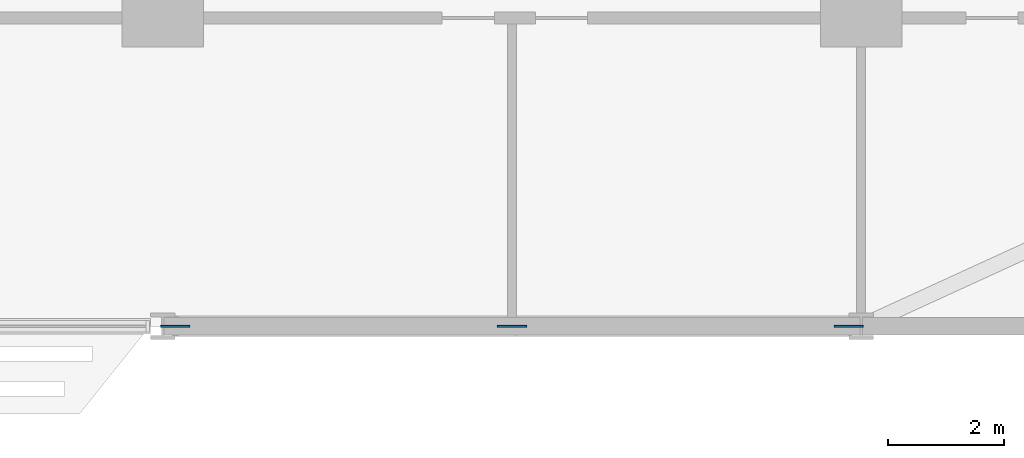
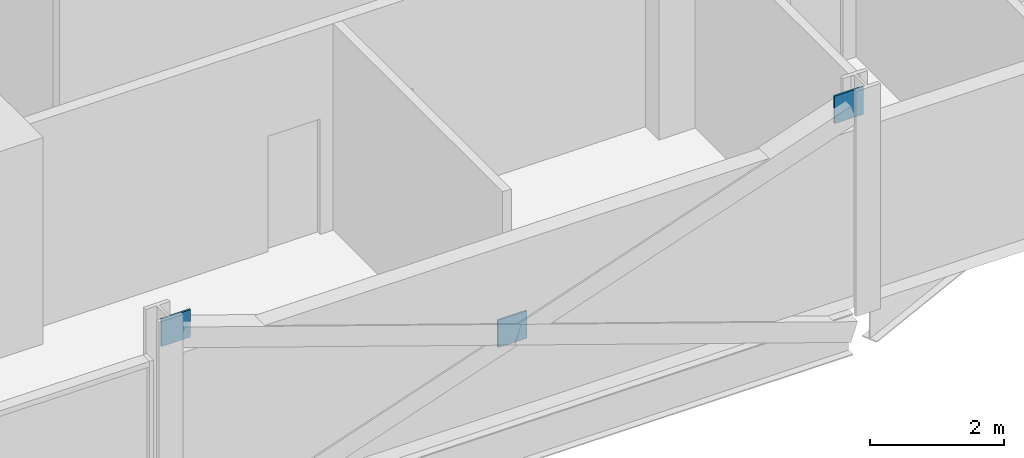
# One storey, part 21 of 29: 3 discrete accessories.
"""IFC4 building model written with IfcOpenShell, lengths in metres."""

from ifc_helpers import new_model, si_unit, direction, frame, origin, origin_2d, place, context, subcontext, project, spatial, rectangle, extrude, material, layer, layer_set, type_object, element, save


model = new_model("IFC4")

# Units and contexts
model_context = context("Model", 3, precision=1e-05, world=origin(), true_north=direction((0.0, 1.0)))
body_context = subcontext(model_context, "Body", "Model", "MODEL_VIEW")
ifc_project = project(units=[si_unit("LENGTHUNIT", "METRE"), si_unit("AREAUNIT", "SQUARE_METRE"), si_unit("VOLUMEUNIT", "CUBIC_METRE"), si_unit("PLANEANGLEUNIT", "RADIAN"), si_unit("MASSUNIT", "GRAM", prefix="KILO")], contexts=[model_context])

# Site, building, storey
site_placement = place(None, origin())
site = spatial("IfcSite", under=ifc_project, at=site_placement, CompositionType="ELEMENT")
building_placement = place(site_placement, origin())
building = spatial("IfcBuilding", under=site, at=building_placement, Name="Mahtab Terrace Research Tower", CompositionType="ELEMENT")
storey_placement = place(building_placement, frame((0.0, 0.0, 109.39990234375)))
storey = spatial("IfcBuildingStorey", under=building, at=storey_placement, Name="L25", CompositionType="ELEMENT", Elevation=109.39990234375)

# Discrete accessories
ifc_material = material(Name="Steel ASTM A992 Gr 50", Category="steel")
ifc_layer = layer(ifc_material, 0.030029296875)
ifc_layer_set = layer_set([ifc_layer], Name="Gusset plate 500x500x30")
discrete_accessory_type = type_object("IfcDiscreteAccessoryType", Name="Gusset plate 500x500x30", PredefinedType="USERDEFINED", material=ifc_layer_set)
for number, where, z_axis, x_axis, name in (
    (1, (30.209716796875, -17.0, 3.1298828125), (0.0, 0.0, 1.0), (1.0, 0.0, 0.0), "Gusset plate"),
    (2, (36.0, -17.0, 1.081787109375), (0.0, 0.0, 1.0), (1.0, 0.0, 0.0), "Gusset plate"),
    (3, (41.790283203125, -17.0, 3.1298828125), (0.0, 0.0, 1.0), (1.0, 0.0, 0.0), "Gusset plate"),
):
    element("IfcDiscreteAccessory", number, at=place(storey_placement, frame(where, z_axis=z_axis, x_axis=x_axis)), inside=storey, type_object=discrete_accessory_type, Name=name, ObjectType="GUSSET PLATE", PredefinedType="USERDEFINED", context=body_context, shape_type="SweptSolid", body=[
        extrude(rectangle(XDim=0.5, YDim=0.030029296875, at=origin_2d()), origin(), (0.0, 0.0, 1.0), 0.5),
    ])

save(model, "model.ifc")
